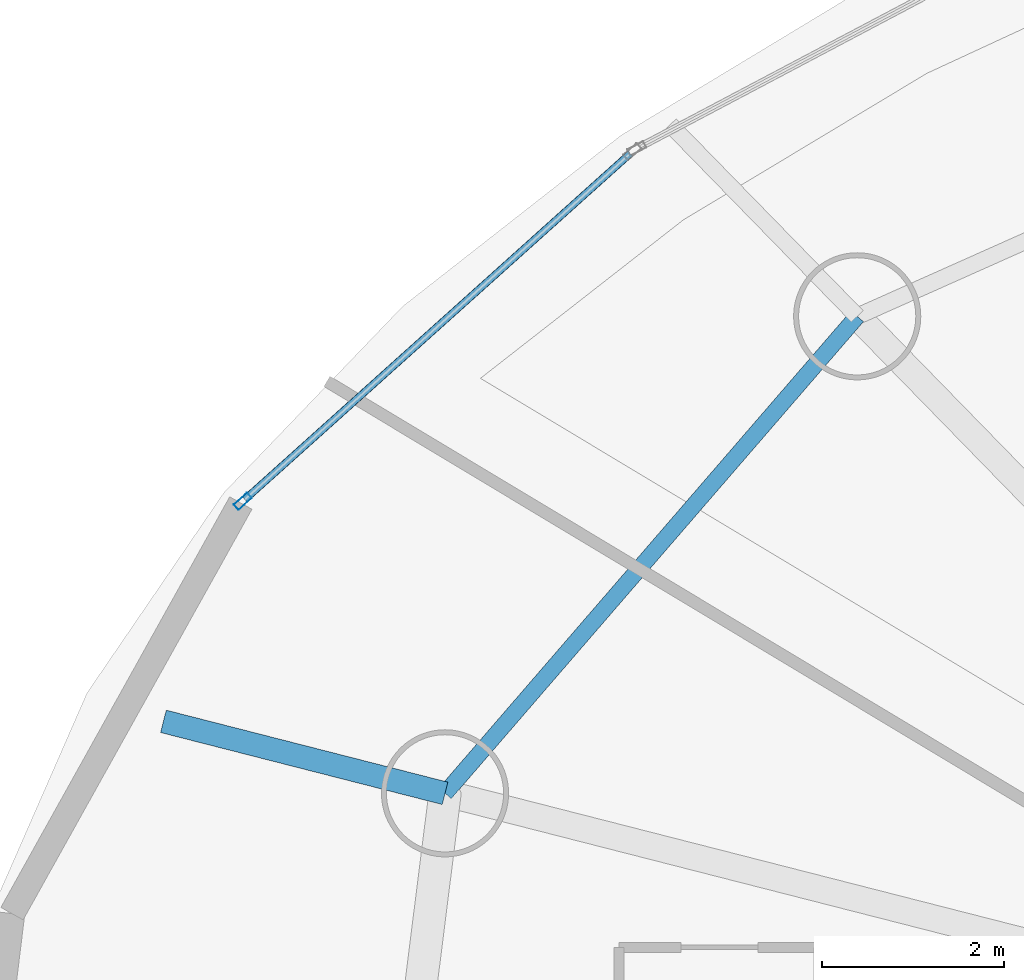
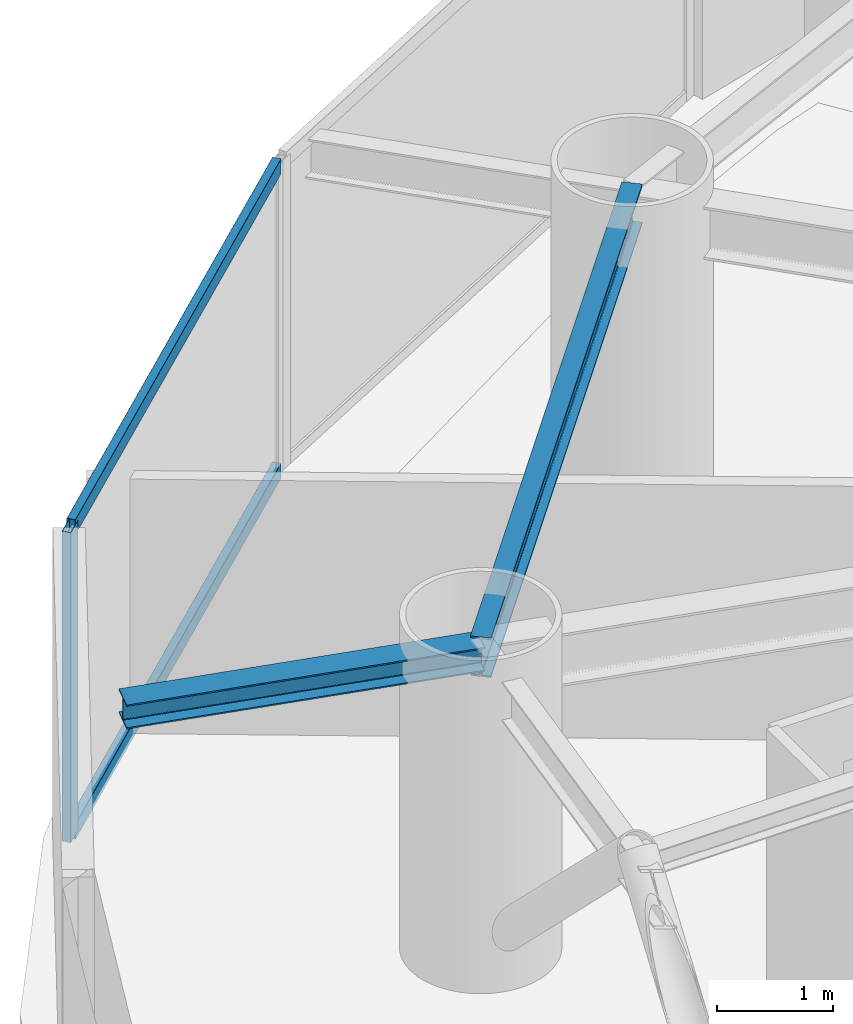
# One storey, part 8 of 20: 3 members, 2 beams, 1 element without a shape of its own.
"""IFC4 building model written with IfcOpenShell, lengths in metres."""

from ifc_helpers import new_model, si_unit, direction, frame, origin, origin_2d, place, context, subcontext, project, spatial, hollow_rectangle, i_section, extrude, material, layer, layer_set, material_profile, profile_set, type_object, element, aggregate, save


model = new_model("IFC4")

# Units and contexts
model_context = context("Model", 3, precision=1e-05, world=origin(), true_north=direction((0.0, 1.0)))
body_context = subcontext(model_context, "Body", "Model", "MODEL_VIEW")
ifc_project = project(units=[si_unit("LENGTHUNIT", "METRE"), si_unit("AREAUNIT", "SQUARE_METRE"), si_unit("VOLUMEUNIT", "CUBIC_METRE"), si_unit("PLANEANGLEUNIT", "RADIAN"), si_unit("MASSUNIT", "GRAM", prefix="KILO")], contexts=[model_context])

# Site, building, storey
site_placement = place(None, origin())
site = spatial("IfcSite", under=ifc_project, at=site_placement, CompositionType="ELEMENT")
building_placement = place(site_placement, origin())
building = spatial("IfcBuilding", under=site, at=building_placement, Name="Bramvorn Convention Spire", CompositionType="ELEMENT")
storey_placement = place(building_placement, frame((0.0, 0.0, 106.300048828125)))
storey = spatial("IfcBuildingStorey", under=building, at=storey_placement, Name="L25", CompositionType="ELEMENT", Elevation=106.300048828125)

# Beams
ifc_material_1 = material(Name="Steel CSA G40.21 Grade 350 (350W)", Category="steel")
ifc_material_profile_1 = material_profile(ifc_material_1, i_section(OverallWidth=0.25390625, OverallDepth=0.2529296875, WebThickness=0.008544921875, FlangeThickness=0.01416015625, FilletRadius=0.011962890625, at=origin_2d()))
ifc_profile_set_1 = profile_set([ifc_material_profile_1], Name="Steel CSA G40.21 Grade 350 (350W) - W250X73")
beam_type_1 = type_object("IfcBeamType", Name="BM-W250X73", PredefinedType="BEAM", material=ifc_profile_set_1)
beam_1_placement = place(storey_placement, frame((13.88232421875, 36.73779296875, 3.1083984375), z_axis=(-0.968868276357, 0.24757678217, 0.0), x_axis=(-0.24757678217, -0.968868276357, 0.0)))
element("IfcBeam", 1, at=beam_1_placement, inside=storey, type_object=beam_type_1, Name="L25 slab-edge cantilever tip beam MC09", PredefinedType="BEAM", context=body_context, shape_type="SweptSolid", body=[
    extrude(i_section(OverallWidth=0.25390625, OverallDepth=0.2529296875, WebThickness=0.008544921875, FlangeThickness=0.01416015625, FilletRadius=0.011962890625, at=origin_2d()), origin(), (0.0, 0.0, 1.0), 3.199951171875),
])
ifc_material_profile_2 = material_profile(ifc_material_1, i_section(OverallWidth=0.180908203125, OverallDepth=0.4169921875, WebThickness=0.010986328125, FlangeThickness=0.018310546875, FilletRadius=0.01611328125, at=origin_2d()))
ifc_profile_set_2 = profile_set([ifc_material_profile_2], Name="Steel CSA G40.21 Grade 350 (350W) - W410X85")
beam_type_2 = type_object("IfcBeamType", Name="BM-W410X85", PredefinedType="JOIST", material=ifc_profile_set_2)
beam_2_placement = place(storey_placement, frame((18.420166015625, 41.9892578125, 3.051513671875), z_axis=(-0.653824993824, -0.756645807132, 0.0), x_axis=(0.756645807132, -0.653824993824, 0.0)))
element("IfcBeam", 2, at=beam_2_placement, inside=storey, type_object=beam_type_2, Name="L25 mega-column ring beam 08", PredefinedType="JOIST", context=body_context, shape_type="SweptSolid", body=[
    extrude(i_section(OverallWidth=0.180908203125, OverallDepth=0.4169921875, WebThickness=0.010986328125, FlangeThickness=0.018310546875, FilletRadius=0.01611328125, at=origin_2d()), origin(), (0.0, 0.0, 1.0), 6.9404296875),
])

# Curtain wall, members
ifc_material_2 = material(Name="Anodised Bronze Unitised Curtain Wall", Category="aluminium")
ifc_layer = layer(ifc_material_2, 0.179931640625)
ifc_layer_set = layer_set([ifc_layer], Name="Anodised Bronze Unitised Curtain Wall - CW-HTL-FRIT")
curtain_wall_type = type_object("IfcCurtainWallType", Name="CW-HTL-FRIT", PredefinedType="USERDEFINED", material=ifc_layer_set)
curtain_wall_placement = place(storey_placement, origin())
curtain_wall = element("IfcCurtainWall", 3, at=curtain_wall_placement, inside=storey, type_object=curtain_wall_type, Name="L25 fritted glass curtain wall 11", ObjectType="UNITISED CURTAIN WALL", PredefinedType="USERDEFINED")
ifc_material_3 = material(Name="Anodised Bronze Aluminium 6063-T6", Category="aluminium")
ifc_material_profile_3 = material_profile(ifc_material_3, hollow_rectangle(XDim=0.080078125, YDim=0.199951171875, WallThickness=0.00390625, InnerFilletRadius=0.0009765625, OuterFilletRadius=0.00390625, at=origin_2d()))
ifc_profile_set_3 = profile_set([ifc_material_profile_3], Name="Anodised Bronze Aluminium 6063-T6 - CWM80X200")
member_type_1 = type_object("IfcMemberType", Name="CW-MUL-180", PredefinedType="MULLION", material=ifc_profile_set_3)
member_1_placement = place(storey_placement, frame((11.656005859375, 39.953125, 0.0), z_axis=(0.0, 0.0, 1.0), x_axis=(-0.66793364502, 0.744220831373, 0.0)))
member_1 = element("IfcMember", 4, at=member_1_placement, type_object=member_type_1, Name="CW2 mullion 1", PredefinedType="MULLION", context=body_context, shape_type="SweptSolid", body=[
    extrude(hollow_rectangle(XDim=0.080078125, YDim=0.199951171875, WallThickness=0.00390625, InnerFilletRadius=0.0009765625, OuterFilletRadius=0.00390625, at=origin_2d()), origin(), (0.0, 0.0, 1.0), 3.260009765625),
])
ifc_material_profile_4 = material_profile(ifc_material_3, hollow_rectangle(XDim=0.080078125, YDim=0.159912109375, WallThickness=0.00390625, InnerFilletRadius=0.0009765625, OuterFilletRadius=0.00390625, at=origin_2d()))
ifc_profile_set_4 = profile_set([ifc_material_profile_4], Name="Anodised Bronze Aluminium 6063-T6 - CWT80X160")
member_type_2 = type_object("IfcMemberType", Name="CW-TRN-150", PredefinedType="USERDEFINED", material=ifc_profile_set_4)
member_2_placement = place(storey_placement, frame((11.678466796875, 39.97314453125, 0.030029296875), z_axis=(0.744221548355, 0.667932846148, 0.0), x_axis=(-0.667932846148, 0.744221548355, 0.0)))
member_2 = element("IfcMember", 5, at=member_2_placement, type_object=member_type_2, Name="CW2 transom 1.1", ObjectType="TRANSOM", PredefinedType="USERDEFINED", context=body_context, shape_type="SweptSolid", body=[
    extrude(hollow_rectangle(XDim=0.080078125, YDim=0.159912109375, WallThickness=0.00390625, InnerFilletRadius=0.0009765625, OuterFilletRadius=0.00390625, at=origin_2d()), origin(), (0.0, 0.0, 1.0), 5.702880859375),
])
member_3_placement = place(storey_placement, frame((11.678466796875, 39.97314453125, 3.22998046875), z_axis=(0.744221548355, 0.667932846148, 0.0), x_axis=(-0.667932846148, 0.744221548355, 0.0)))
member_3 = element("IfcMember", 6, at=member_3_placement, type_object=member_type_2, Name="CW2 transom 1.2", ObjectType="TRANSOM", PredefinedType="USERDEFINED", context=body_context, shape_type="SweptSolid", body=[
    extrude(hollow_rectangle(XDim=0.080078125, YDim=0.159912109375, WallThickness=0.00390625, InnerFilletRadius=0.0009765625, OuterFilletRadius=0.00390625, at=origin_2d()), origin(), (0.0, 0.0, 1.0), 5.702880859375),
])
aggregate(curtain_wall, [member_1, member_2, member_3])

save(model, "model.ifc")
